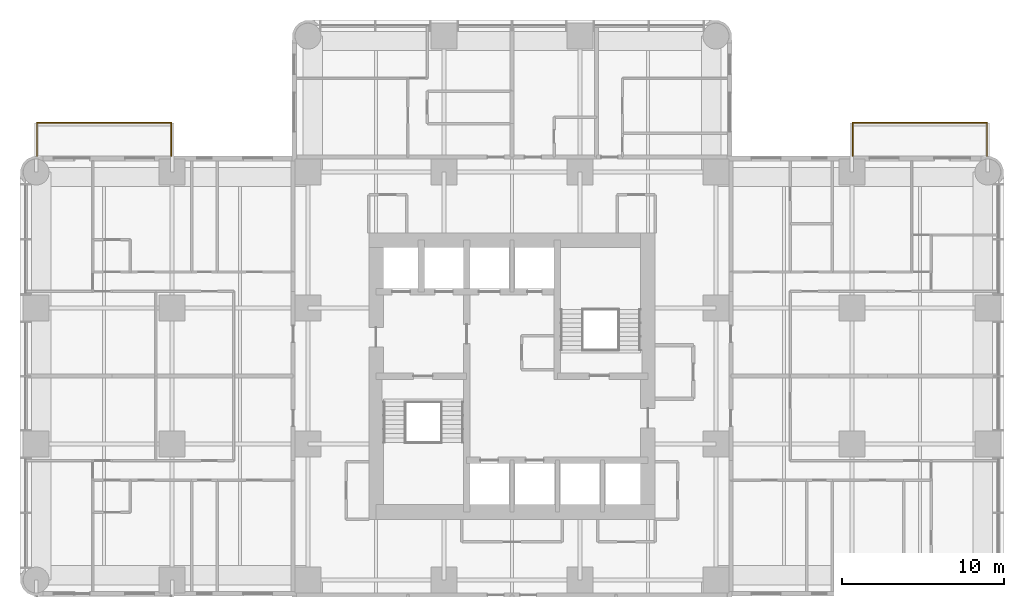
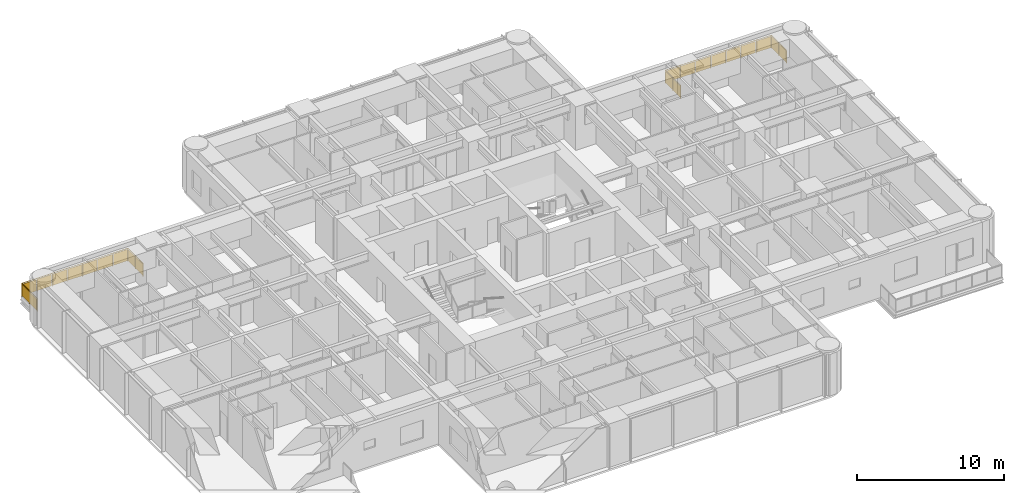
# One storey, part 15 of 15: 2 railings.
"""IFC4 building model written with IfcOpenShell, lengths in metres."""

from ifc_helpers import new_model, si_unit, direction, frame, origin, origin_2d, place, context, subcontext, project, spatial, polyline, circle, outline, extrude, material, constituent, constituent_set, type_object, element, save


model = new_model("IFC4")

# Units and contexts
model_context = context("Model", 3, precision=1e-05, world=origin(), true_north=direction((0.0, 1.0)))
body_context = subcontext(model_context, "Body", "Model", "MODEL_VIEW")
ifc_project = project(units=[si_unit("LENGTHUNIT", "METRE"), si_unit("AREAUNIT", "SQUARE_METRE"), si_unit("VOLUMEUNIT", "CUBIC_METRE"), si_unit("PLANEANGLEUNIT", "RADIAN"), si_unit("MASSUNIT", "GRAM", prefix="KILO")], contexts=[model_context])

# Site, building, storey
site_placement = place(None, origin())
site = spatial("IfcSite", under=ifc_project, at=site_placement, CompositionType="ELEMENT")
building_placement = place(site_placement, origin())
building = spatial("IfcBuilding", under=site, at=building_placement, Name="Torre Alcanfor", CompositionType="ELEMENT")
storey_placement = place(building_placement, frame((0.0, 0.0, 152.10009765625)))
storey = spatial("IfcBuildingStorey", under=building, at=storey_placement, Name="L39", CompositionType="ELEMENT", Elevation=152.10009765625)

# Railings
ifc_material_1 = material(Name="Laminated safety glass", Category="glass")
ifc_constituent_1 = constituent(ifc_material_1, Name="Infill")
ifc_material_2 = material(Name="Stainless steel ASTM A554 Grade MT 316L tube", Category="steel")
ifc_constituent_2 = constituent(ifc_material_2, Name="Posts and rail")
ifc_constituent_set = constituent_set(constituents=[ifc_constituent_1, ifc_constituent_2], Name="Balcony guard glass 1100")
railing_type = type_object("IfcRailingType", Name="Balcony guard glass 1100", PredefinedType="BALUSTRADE", material=ifc_constituent_set)
railing_1_placement = place(storey_placement, frame((50.449951171875, 43.0, 0.0)))
element("IfcRailing", 1, at=railing_1_placement, inside=storey, type_object=railing_type, Name="Balcony guard L39-E1", PredefinedType="BALUSTRADE", context=body_context, shape_type="SweptSolid", body=[
    extrude(circle(Radius=0.02392578125, at=origin_2d()), frame((0.0, 0.0, 1.076171875), z_axis=(0.0, 1.0, 0.0), x_axis=(-1.0, 0.0, 0.0)), (0.0, 0.0, 1.0), 2.050048828125),
    extrude(circle(Radius=0.02392578125, at=origin_2d()), frame((0.0, 2.050048828125, 1.076171875), z_axis=(1.0, 0.0, 0.0), x_axis=(0.0, 1.0, 0.0)), (0.0, 0.0, 1.0), 8.300048828125),
    extrude(circle(Radius=0.02392578125, at=origin_2d()), frame((8.300048828125, 2.050048828125, 1.076171875), z_axis=(0.0, -1.0, 0.0), x_axis=(1.0, 0.0, 0.0)), (0.0, 0.0, 1.0), 2.050048828125),
    extrude(circle(Radius=0.02099609375, at=origin_2d()), origin(), (0.0, 0.0, 1.0), 1.052001953125),
    extrude(circle(Radius=0.02099609375, at=origin_2d()), frame((0.0, 1.02490234375, 0.0)), (0.0, 0.0, 1.0), 1.052001953125),
    extrude(circle(Radius=0.02099609375, at=origin_2d()), frame((0.0, 2.050048828125, 0.0)), (0.0, 0.0, 1.0), 1.052001953125),
    extrude(circle(Radius=0.02099609375, at=origin_2d()), frame((1.185791015625, 2.050048828125, 0.0)), (0.0, 0.0, 1.0), 1.052001953125),
    extrude(circle(Radius=0.02099609375, at=origin_2d()), frame((2.371337890625, 2.050048828125, 0.0)), (0.0, 0.0, 1.0), 1.052001953125),
    extrude(circle(Radius=0.02099609375, at=origin_2d()), frame((3.55712890625, 2.050048828125, 0.0)), (0.0, 0.0, 1.0), 1.052001953125),
    extrude(circle(Radius=0.02099609375, at=origin_2d()), frame((4.742919921875, 2.050048828125, 0.0)), (0.0, 0.0, 1.0), 1.052001953125),
    extrude(circle(Radius=0.02099609375, at=origin_2d()), frame((5.9287109375, 2.050048828125, 0.0)), (0.0, 0.0, 1.0), 1.052001953125),
    extrude(circle(Radius=0.02099609375, at=origin_2d()), frame((7.1142578125, 2.050048828125, 0.0)), (0.0, 0.0, 1.0), 1.052001953125),
    extrude(circle(Radius=0.02099609375, at=origin_2d()), frame((8.300048828125, 2.050048828125, 0.0)), (0.0, 0.0, 1.0), 1.052001953125),
    extrude(circle(Radius=0.02099609375, at=origin_2d()), frame((8.300048828125, 1.02490234375, 0.0)), (0.0, 0.0, 1.0), 1.052001953125),
    extrude(circle(Radius=0.02099609375, at=origin_2d()), frame((8.300048828125, 0.0, 0.0)), (0.0, 0.0, 1.0), 1.052001953125),
    extrude(outline(polyline([(0.041015625, 0.050048828125), (0.984130859375, 0.050048828125), (0.984130859375, 1.001953125), (0.041015625, 1.001953125), (0.041015625, 0.050048828125)])), frame((-0.005859375, 0.0, 0.0), z_axis=(1.0, 0.0, 0.0), x_axis=(0.0, 1.0, 0.0)), (0.0, 0.0, 1.0), 0.011962890625),
    extrude(outline(polyline([(1.06591796875, 0.050048828125), (2.009033203125, 0.050048828125), (2.009033203125, 1.001953125), (1.06591796875, 1.001953125), (1.06591796875, 0.050048828125)])), frame((-0.005859375, 0.0, 0.0), z_axis=(1.0, 0.0, 0.0), x_axis=(0.0, 1.0, 0.0)), (0.0, 0.0, 1.0), 0.011962890625),
    extrude(outline(polyline([(0.041015625, 0.050048828125), (1.144775390625, 0.050048828125), (1.144775390625, 1.001953125), (0.041015625, 1.001953125), (0.041015625, 0.050048828125)])), frame((0.0, 2.05615234375, 0.0), z_axis=(0.0, -1.0, 0.0), x_axis=(1.0, 0.0, 0.0)), (0.0, 0.0, 1.0), 0.011962890625),
    extrude(outline(polyline([(1.226806640625, 0.050048828125), (2.330322265625, 0.050048828125), (2.330322265625, 1.001953125), (1.226806640625, 1.001953125), (1.226806640625, 0.050048828125)])), frame((0.0, 2.05615234375, 0.0), z_axis=(0.0, -1.0, 0.0), x_axis=(1.0, 0.0, 0.0)), (0.0, 0.0, 1.0), 0.011962890625),
    extrude(outline(polyline([(2.412353515625, 0.050048828125), (3.51611328125, 0.050048828125), (3.51611328125, 1.001953125), (2.412353515625, 1.001953125), (2.412353515625, 0.050048828125)])), frame((0.0, 2.05615234375, 0.0), z_axis=(0.0, -1.0, 0.0), x_axis=(1.0, 0.0, 0.0)), (0.0, 0.0, 1.0), 0.011962890625),
    extrude(outline(polyline([(3.59814453125, 0.050048828125), (4.701904296875, 0.050048828125), (4.701904296875, 1.001953125), (3.59814453125, 1.001953125), (3.59814453125, 0.050048828125)])), frame((0.0, 2.05615234375, 0.0), z_axis=(0.0, -1.0, 0.0), x_axis=(1.0, 0.0, 0.0)), (0.0, 0.0, 1.0), 0.011962890625),
    extrude(outline(polyline([(4.783935546875, 0.050048828125), (5.8876953125, 0.050048828125), (5.8876953125, 1.001953125), (4.783935546875, 1.001953125), (4.783935546875, 0.050048828125)])), frame((0.0, 2.05615234375, 0.0), z_axis=(0.0, -1.0, 0.0), x_axis=(1.0, 0.0, 0.0)), (0.0, 0.0, 1.0), 0.011962890625),
    extrude(outline(polyline([(5.9697265625, 0.050048828125), (7.0732421875, 0.050048828125), (7.0732421875, 1.001953125), (5.9697265625, 1.001953125), (5.9697265625, 0.050048828125)])), frame((0.0, 2.05615234375, 0.0), z_axis=(0.0, -1.0, 0.0), x_axis=(1.0, 0.0, 0.0)), (0.0, 0.0, 1.0), 0.011962890625),
    extrude(outline(polyline([(7.1552734375, 0.050048828125), (8.259033203125, 0.050048828125), (8.259033203125, 1.001953125), (7.1552734375, 1.001953125), (7.1552734375, 0.050048828125)])), frame((0.0, 2.05615234375, 0.0), z_axis=(0.0, -1.0, 0.0), x_axis=(1.0, 0.0, 0.0)), (0.0, 0.0, 1.0), 0.011962890625),
    extrude(outline(polyline([(0.041015625, 0.050048828125), (0.984130859375, 0.050048828125), (0.984130859375, 1.001953125), (0.041015625, 1.001953125), (0.041015625, 0.050048828125)])), frame((8.30615234375, 2.050048828125, 0.0), z_axis=(-1.0, 0.0, 0.0), x_axis=(0.0, -1.0, 0.0)), (0.0, 0.0, 1.0), 0.011962890625),
    extrude(outline(polyline([(1.06591796875, 0.050048828125), (2.009033203125, 0.050048828125), (2.009033203125, 1.001953125), (1.06591796875, 1.001953125), (1.06591796875, 0.050048828125)])), frame((8.30615234375, 2.050048828125, 0.0), z_axis=(-1.0, 0.0, 0.0), x_axis=(0.0, -1.0, 0.0)), (0.0, 0.0, 1.0), 0.011962890625),
])
railing_2_placement = place(storey_placement, frame((8.35009765625, 43.0, 0.0)))
element("IfcRailing", 2, at=railing_2_placement, inside=storey, type_object=railing_type, Name="Balcony guard L39-W2", PredefinedType="BALUSTRADE", context=body_context, shape_type="SweptSolid", body=[
    extrude(circle(Radius=0.02392578125, at=origin_2d()), frame((0.0, 0.0, 1.076171875), z_axis=(0.0, 1.0, 0.0), x_axis=(-1.0, 0.0, 0.0)), (0.0, 0.0, 1.0), 2.050048828125),
    extrude(circle(Radius=0.02392578125, at=origin_2d()), frame((0.0, 2.050048828125, 1.076171875), z_axis=(-1.0, 0.0, 0.0), x_axis=(0.0, -1.0, 0.0)), (0.0, 0.0, 1.0), 8.300048828125),
    extrude(circle(Radius=0.02392578125, at=origin_2d()), frame((-8.300048828125, 2.050048828125, 1.076171875), z_axis=(0.0, -1.0, 0.0), x_axis=(1.0, 0.0, 0.0)), (0.0, 0.0, 1.0), 2.050048828125),
    extrude(circle(Radius=0.02099609375, at=origin_2d()), origin(), (0.0, 0.0, 1.0), 1.052001953125),
    extrude(circle(Radius=0.02099609375, at=origin_2d()), frame((0.0, 1.02490234375, 0.0)), (0.0, 0.0, 1.0), 1.052001953125),
    extrude(circle(Radius=0.02099609375, at=origin_2d()), frame((0.0, 2.050048828125, 0.0)), (0.0, 0.0, 1.0), 1.052001953125),
    extrude(circle(Radius=0.02099609375, at=origin_2d()), frame((-1.185791015625, 2.050048828125, 0.0)), (0.0, 0.0, 1.0), 1.052001953125),
    extrude(circle(Radius=0.02099609375, at=origin_2d()), frame((-2.371337890625, 2.050048828125, 0.0)), (0.0, 0.0, 1.0), 1.052001953125),
    extrude(circle(Radius=0.02099609375, at=origin_2d()), frame((-3.55712890625, 2.050048828125, 0.0)), (0.0, 0.0, 1.0), 1.052001953125),
    extrude(circle(Radius=0.02099609375, at=origin_2d()), frame((-4.742919921875, 2.050048828125, 0.0)), (0.0, 0.0, 1.0), 1.052001953125),
    extrude(circle(Radius=0.02099609375, at=origin_2d()), frame((-5.9287109375, 2.050048828125, 0.0)), (0.0, 0.0, 1.0), 1.052001953125),
    extrude(circle(Radius=0.02099609375, at=origin_2d()), frame((-7.1142578125, 2.050048828125, 0.0)), (0.0, 0.0, 1.0), 1.052001953125),
    extrude(circle(Radius=0.02099609375, at=origin_2d()), frame((-8.300048828125, 2.050048828125, 0.0)), (0.0, 0.0, 1.0), 1.052001953125),
    extrude(circle(Radius=0.02099609375, at=origin_2d()), frame((-8.300048828125, 1.02490234375, 0.0)), (0.0, 0.0, 1.0), 1.052001953125),
    extrude(circle(Radius=0.02099609375, at=origin_2d()), frame((-8.300048828125, 0.0, 0.0)), (0.0, 0.0, 1.0), 1.052001953125),
    extrude(outline(polyline([(0.041015625, 0.050048828125), (0.984130859375, 0.050048828125), (0.984130859375, 1.001953125), (0.041015625, 1.001953125), (0.041015625, 0.050048828125)])), frame((-0.005859375, 0.0, 0.0), z_axis=(1.0, 0.0, 0.0), x_axis=(0.0, 1.0, 0.0)), (0.0, 0.0, 1.0), 0.011962890625),
    extrude(outline(polyline([(1.06591796875, 0.050048828125), (2.009033203125, 0.050048828125), (2.009033203125, 1.001953125), (1.06591796875, 1.001953125), (1.06591796875, 0.050048828125)])), frame((-0.005859375, 0.0, 0.0), z_axis=(1.0, 0.0, 0.0), x_axis=(0.0, 1.0, 0.0)), (0.0, 0.0, 1.0), 0.011962890625),
    extrude(outline(polyline([(0.041015625, 0.050048828125), (1.144775390625, 0.050048828125), (1.144775390625, 1.001953125), (0.041015625, 1.001953125), (0.041015625, 0.050048828125)])), frame((0.0, 2.0439453125, 0.0), z_axis=(0.0, 1.0, 0.0), x_axis=(-1.0, 0.0, 0.0)), (0.0, 0.0, 1.0), 0.011962890625),
    extrude(outline(polyline([(1.226806640625, 0.050048828125), (2.330322265625, 0.050048828125), (2.330322265625, 1.001953125), (1.226806640625, 1.001953125), (1.226806640625, 0.050048828125)])), frame((0.0, 2.0439453125, 0.0), z_axis=(0.0, 1.0, 0.0), x_axis=(-1.0, 0.0, 0.0)), (0.0, 0.0, 1.0), 0.011962890625),
    extrude(outline(polyline([(2.412353515625, 0.050048828125), (3.51611328125, 0.050048828125), (3.51611328125, 1.001953125), (2.412353515625, 1.001953125), (2.412353515625, 0.050048828125)])), frame((0.0, 2.0439453125, 0.0), z_axis=(0.0, 1.0, 0.0), x_axis=(-1.0, 0.0, 0.0)), (0.0, 0.0, 1.0), 0.011962890625),
    extrude(outline(polyline([(3.59814453125, 0.050048828125), (4.701904296875, 0.050048828125), (4.701904296875, 1.001953125), (3.59814453125, 1.001953125), (3.59814453125, 0.050048828125)])), frame((0.0, 2.0439453125, 0.0), z_axis=(0.0, 1.0, 0.0), x_axis=(-1.0, 0.0, 0.0)), (0.0, 0.0, 1.0), 0.011962890625),
    extrude(outline(polyline([(4.783935546875, 0.050048828125), (5.8876953125, 0.050048828125), (5.8876953125, 1.001953125), (4.783935546875, 1.001953125), (4.783935546875, 0.050048828125)])), frame((0.0, 2.0439453125, 0.0), z_axis=(0.0, 1.0, 0.0), x_axis=(-1.0, 0.0, 0.0)), (0.0, 0.0, 1.0), 0.011962890625),
    extrude(outline(polyline([(5.9697265625, 0.050048828125), (7.0732421875, 0.050048828125), (7.0732421875, 1.001953125), (5.9697265625, 1.001953125), (5.9697265625, 0.050048828125)])), frame((0.0, 2.0439453125, 0.0), z_axis=(0.0, 1.0, 0.0), x_axis=(-1.0, 0.0, 0.0)), (0.0, 0.0, 1.0), 0.011962890625),
    extrude(outline(polyline([(7.1552734375, 0.050048828125), (8.259033203125, 0.050048828125), (8.259033203125, 1.001953125), (7.1552734375, 1.001953125), (7.1552734375, 0.050048828125)])), frame((0.0, 2.0439453125, 0.0), z_axis=(0.0, 1.0, 0.0), x_axis=(-1.0, 0.0, 0.0)), (0.0, 0.0, 1.0), 0.011962890625),
    extrude(outline(polyline([(0.041015625, 0.050048828125), (0.984130859375, 0.050048828125), (0.984130859375, 1.001953125), (0.041015625, 1.001953125), (0.041015625, 0.050048828125)])), frame((-8.2939453125, 2.050048828125, 0.0), z_axis=(-1.0, 0.0, 0.0), x_axis=(0.0, -1.0, 0.0)), (0.0, 0.0, 1.0), 0.011962890625),
    extrude(outline(polyline([(1.06591796875, 0.050048828125), (2.009033203125, 0.050048828125), (2.009033203125, 1.001953125), (1.06591796875, 1.001953125), (1.06591796875, 0.050048828125)])), frame((-8.2939453125, 2.050048828125, 0.0), z_axis=(-1.0, 0.0, 0.0), x_axis=(0.0, -1.0, 0.0)), (0.0, 0.0, 1.0), 0.011962890625),
])

save(model, "model.ifc")
